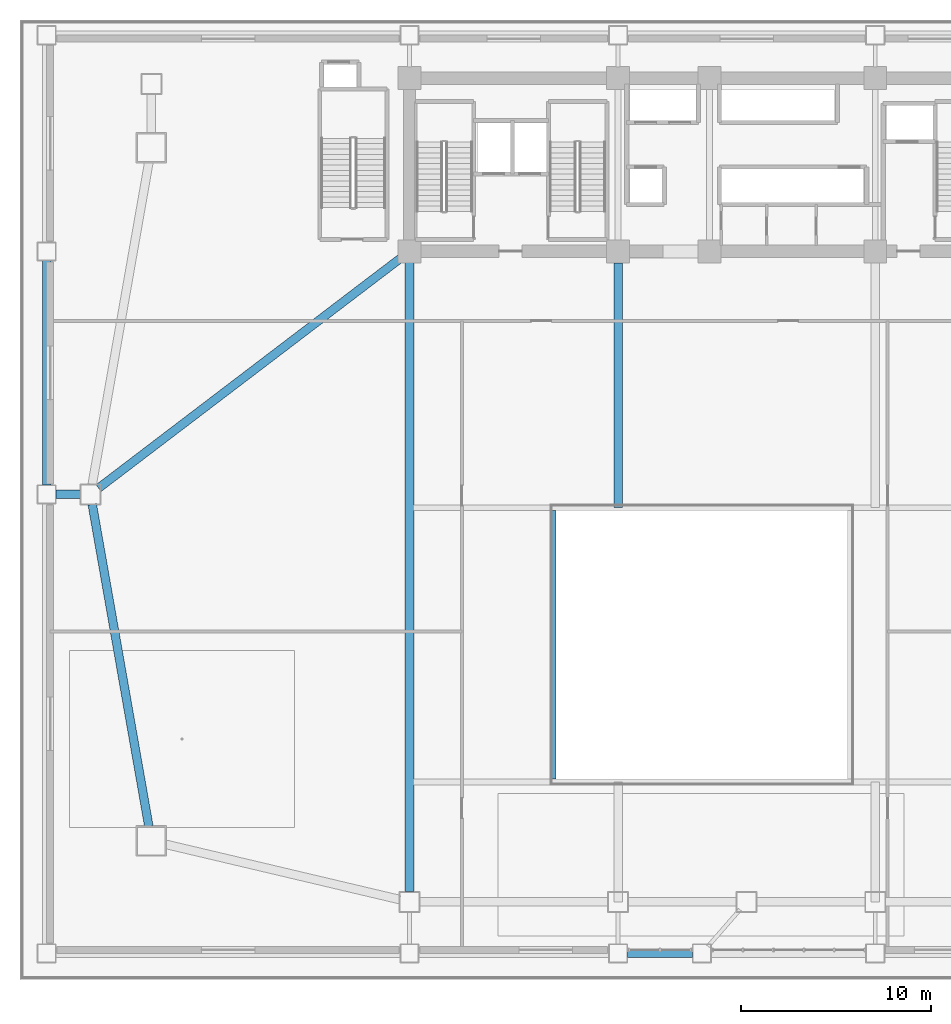
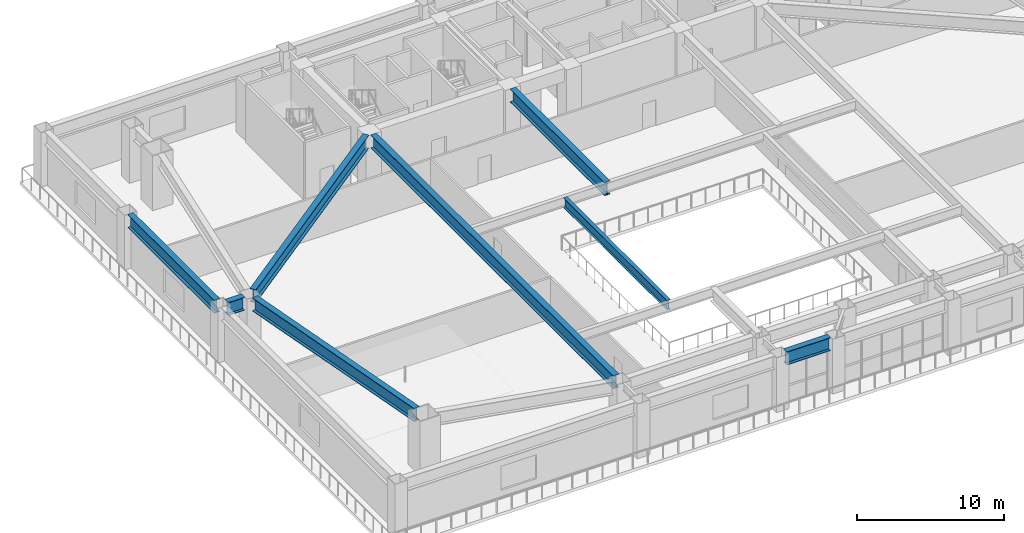
# One storey, part 3 of 14: 8 beams.
"""IFC4 building model written with IfcOpenShell, lengths in metres."""

import ifcopenshell
import ifcopenshell.guid

model = None  # the IFC model being written
_history = None  # IfcOwnerHistory: only IFC2X3 demands one
_inside = {}  # id of a spatial element -> (the spatial element, [elements in it])
_under = {}  # id of a project, library or spatial element -> (it, [spatial elements below it])
_declared = {}  # id of a project -> (the project, [libraries it declares])
_typed = {}  # id of a type object -> (the type object, [elements of that type])
_made_of = {}  # id of a material, layer set ... -> (it, [elements and type objects made of it])


def new_model(schema):
    """Start an empty IFC model of exactly this schema.

    Asked for "IFC4X3", IfcOpenShell would pick the latest addendum, in which some entities
    have other attributes; the version numbers below select the first issue.
    IFC2X3 requires an IfcOwnerHistory on every rooted entity: one is made here for all.
    """
    global model, _history
    if schema == "IFC4X3":
        model = ifcopenshell.file(schema_version=(4, 3, 0, 0))
    else:
        model = ifcopenshell.file(schema=schema)
    _inside.clear()
    _under.clear()
    _declared.clear()
    _typed.clear()
    _made_of.clear()
    _history = None
    if model.schema == "IFC2X3":
        org = make("IfcOrganization", Name="unknown")
        user = make(
            "IfcPersonAndOrganization",
            ThePerson=make("IfcPerson", FamilyName="unknown"),
            TheOrganization=org,
        )
        app = make(
            "IfcApplication",
            ApplicationDeveloper=org,
            Version="unknown",
            ApplicationFullName="unknown",
            ApplicationIdentifier="unknown",
        )
        _history = make(
            "IfcOwnerHistory",
            OwningUser=user,
            OwningApplication=app,
            ChangeAction="ADDED",
            CreationDate=0,
        )
    return model


def make(cls, **values):
    """One entity of the class cls with the attributes given. An attribute that is None is left unset."""
    return model.create_entity(
        cls, **{name: value for name, value in values.items() if value is not None}
    )


def rooted(cls, **values):
    """An entity with a GlobalId (a new one), such as an element, a storey or a relation."""
    return make(cls, GlobalId=ifcopenshell.guid.new(), OwnerHistory=_history, **values)


def si_unit(unit_type, name, prefix=None):
    """IfcSIUnit, for example si_unit("LENGTHUNIT", "METRE", prefix="MILLI")."""
    return make("IfcSIUnit", UnitType=unit_type, Prefix=prefix, Name=name)


def assignment(units):
    """IfcUnitAssignment: the units of a project."""
    return None if units is None else make("IfcUnitAssignment", Units=units)


def point(xyz):
    """IfcCartesianPoint."""
    return None if xyz is None else make("IfcCartesianPoint", Coordinates=xyz)


def direction(xyz):
    """IfcDirection."""
    return None if xyz is None else make("IfcDirection", DirectionRatios=xyz)


def frame(location, z_axis=None, x_axis=None):
    """IfcAxis2Placement3D, a coordinate frame: its origin and axes. An axis left out is left unset."""
    return make(
        "IfcAxis2Placement3D",
        Location=point(location),
        Axis=direction(z_axis),
        RefDirection=direction(x_axis),
    )


def frame_2d(location, x_axis=None):
    """IfcAxis2Placement2D, a coordinate frame in the plane: its origin and x axis."""
    return make(
        "IfcAxis2Placement2D", Location=point(location), RefDirection=direction(x_axis)
    )


def origin():
    """The frame at (0, 0, 0) with its axes left unset."""
    return frame((0.0, 0.0, 0.0))


def origin_2d():
    """The frame at (0, 0) in the plane with its x axis left unset."""
    return frame_2d((0.0, 0.0))


def place(relative_to, where):
    """IfcLocalPlacement: puts the frame where relative to a parent placement (None: the world)."""
    return make(
        "IfcLocalPlacement", PlacementRelTo=relative_to, RelativePlacement=where
    )


def context(
    kind, dimensions, precision=None, world=None, true_north=None, identifier=None
):
    """IfcGeometricRepresentationContext, for example the 3D "Model" context."""
    return make(
        "IfcGeometricRepresentationContext",
        ContextIdentifier=identifier,
        ContextType=kind,
        CoordinateSpaceDimension=dimensions,
        Precision=precision,
        WorldCoordinateSystem=world,
        TrueNorth=true_north,
    )


def subcontext(parent, identifier, kind, view, scale=None):
    """IfcGeometricRepresentationSubContext, for example "Body" below "Model"."""
    return make(
        "IfcGeometricRepresentationSubContext",
        ContextIdentifier=identifier,
        ContextType=kind,
        ParentContext=parent,
        TargetScale=scale,
        TargetView=view,
    )


def project(units=None, contexts=None):
    """IfcProject with its units and contexts."""
    return rooted(
        "IfcProject",
        Name="project",
        RepresentationContexts=contexts,
        UnitsInContext=assignment(units),
    )


def spatial(cls, under=None, at=None, **own):
    """A site, building, storey or space (cls), placed at a placement, below another one or the project."""
    s = rooted(cls, ObjectPlacement=at, **own)
    if under is not None:
        _under.setdefault(under.id(), (under, []))[1].append(s)
    return s


def profile(cls, at=None, kind="AREA", **sizes):
    """A parametric profile (cls). Its sizes go by their IFC names, for example OverallWidth=200.0."""
    return make(cls, ProfileType=kind, Position=at, **sizes)


def i_section(**sizes):
    """IfcIShapeProfileDef."""
    return profile("IfcIShapeProfileDef", **sizes)


def extrude(swept, where, along, depth):
    """IfcExtrudedAreaSolid: the profile swept, set in the frame where, extruded along a direction by depth."""
    return make(
        "IfcExtrudedAreaSolid",
        SweptArea=swept,
        Position=where,
        ExtrudedDirection=direction(along),
        Depth=depth,
    )


def shape(context_of_items, identifier, shape_type, items):
    """IfcShapeRepresentation: the items that make up one representation, for example the "Body"."""
    return make(
        "IfcShapeRepresentation",
        ContextOfItems=context_of_items,
        RepresentationIdentifier=identifier,
        RepresentationType=shape_type,
        Items=items,
    )


def source(mapping_origin, context_of_items, identifier, shape_type, items):
    """IfcRepresentationMap: a shape defined once, which mapped items show again and again."""
    return make(
        "IfcRepresentationMap",
        MappingOrigin=mapping_origin,
        MappedRepresentation=shape(context_of_items, identifier, shape_type, items),
    )


def transform(
    local_origin,
    x_axis=None,
    y_axis=None,
    z_axis=None,
    scale=None,
    scale2=None,
    scale3=None,
    uniform=True,
):
    """IfcCartesianTransformationOperator3D, or its non-uniform kind. x_axis, y_axis, z_axis: its Axis1, 2, 3."""
    if uniform:
        return make(
            "IfcCartesianTransformationOperator3D",
            Axis1=direction(x_axis),
            Axis2=direction(y_axis),
            LocalOrigin=point(local_origin),
            Scale=scale,
            Axis3=direction(z_axis),
        )
    return make(
        "IfcCartesianTransformationOperator3DnonUniform",
        Axis1=direction(x_axis),
        Axis2=direction(y_axis),
        LocalOrigin=point(local_origin),
        Scale=scale,
        Axis3=direction(z_axis),
        Scale2=scale2,
        Scale3=scale3,
    )


def mapped(mapping_source, mapping_target):
    """IfcMappedItem: shows the shape of a source again, moved by a transform."""
    return make(
        "IfcMappedItem", MappingSource=mapping_source, MappingTarget=mapping_target
    )


def material(Name=None, Category=None):
    """IfcMaterial."""
    return make("IfcMaterial", Name=Name, Category=Category)


def material_profile(
    of_material, cross_section, Name=None, Category=None, Priority=None
):
    """IfcMaterialProfile: a cross section and its material."""
    return make(
        "IfcMaterialProfile",
        Name=Name,
        Material=of_material,
        Profile=cross_section,
        Priority=Priority,
        Category=Category,
    )


def profile_set(profiles, Name=None, composite=None):
    """IfcMaterialProfileSet."""
    return make(
        "IfcMaterialProfileSet",
        Name=Name,
        MaterialProfiles=profiles,
        CompositeProfile=composite,
    )


def made_of(thing, what):
    """Note that an element or type object is made of a material, layer set ...; save() writes the relation."""
    if what is not None:
        _made_of.setdefault(what.id(), (what, []))[1].append(thing)
    return thing


def type_object(cls, material=None, **own):
    """A type object (cls), such as IfcWallType, which elements share."""
    return made_of(rooted(cls, **own), material)


def element(
    cls,
    number,
    at=None,
    inside=None,
    cuts=None,
    type_object=None,
    material=None,
    context=None,
    identifier="Body",
    shape_type=None,
    held_by="IfcProductDefinitionShape",
    body=None,
    shapes=None,
    **own,
):
    """One element of the class cls, such as IfcWall. Its Tag is "e" and its number.

    at: its placement. inside: the storey or other place that contains it. cuts: it is an
    opening in that element (IfcRelVoidsElement). A single representation is given by context,
    identifier, shape_type and body (its items); several are given by shapes. held_by: the class
    of the entity that holds the representations. save() writes the other relations.
    """
    e = rooted(cls, Tag="e%d" % number, ObjectPlacement=at, **own)
    if body is not None:
        shapes = [shape(context, identifier, shape_type, body)]
    if shapes is not None:
        e.Representation = make(held_by, Representations=shapes)
    if inside is not None:
        _inside.setdefault(inside.id(), (inside, []))[1].append(e)
    if cuts is not None:
        rooted(
            "IfcRelVoidsElement", RelatingBuildingElement=cuts, RelatedOpeningElement=e
        )
    if type_object is not None:
        _typed.setdefault(type_object.id(), (type_object, []))[1].append(e)
    return made_of(e, material)


def aggregate(whole, parts):
    """IfcRelAggregates: a whole, such as a stair, and the parts it consists of."""
    return rooted("IfcRelAggregates", RelatingObject=whole, RelatedObjects=parts)


def save(model, path):
    """Write the relations noted so far, then the file.

    IfcRelAggregates (storeys below a building ...), IfcRelContainedInSpatialStructure (elements
    in a storey), IfcRelDefinesByType, IfcRelAssociatesMaterial and IfcRelDeclares: one each for
    every whole, place, type object, material and project.
    """
    for whole, parts in _under.values():
        aggregate(whole, parts)
    for where, things in _inside.values():
        rooted(
            "IfcRelContainedInSpatialStructure",
            RelatedElements=things,
            RelatingStructure=where,
        )
    for kind, things in _typed.values():
        rooted("IfcRelDefinesByType", RelatedObjects=things, RelatingType=kind)
    for what, things in _made_of.values():
        rooted("IfcRelAssociatesMaterial", RelatedObjects=things, RelatingMaterial=what)
    for by, libraries in _declared.values():
        rooted("IfcRelDeclares", RelatingContext=by, RelatedDefinitions=libraries)
    model.write(path)


model = new_model("IFC4")

# Units and contexts
model_context = context("Model", 3, precision=1e-05, world=origin(), true_north=direction((0.0, 1.0)))
body_context = subcontext(model_context, "Body", "Model", "MODEL_VIEW")
ifc_project = project(units=[si_unit("LENGTHUNIT", "METRE"), si_unit("AREAUNIT", "SQUARE_METRE"), si_unit("VOLUMEUNIT", "CUBIC_METRE"), si_unit("PLANEANGLEUNIT", "RADIAN"), si_unit("MASSUNIT", "GRAM", prefix="KILO")], contexts=[model_context])

# Site, building, storey
site_placement = place(None, origin())
site = spatial("IfcSite", under=ifc_project, at=site_placement, CompositionType="ELEMENT")
building_placement = place(site_placement, origin())
building = spatial("IfcBuilding", under=site, at=building_placement, Name="Giltprow Tower", CompositionType="ELEMENT")
storey_placement = place(building_placement, frame((0.0, 0.0, 5.60009765625)))
storey = spatial("IfcBuildingStorey", under=building, at=storey_placement, Name="L02", CompositionType="ELEMENT", Elevation=5.60009765625)

# Beams
ifc_material_1 = material(Name="Structural steel Q420GJC", Category="steel")
ifc_material_profile_1 = material_profile(ifc_material_1, i_section(OverallWidth=0.449951171875, OverallDepth=1.10009765625, WebThickness=0.02587890625, FlangeThickness=0.0419921875, at=origin_2d()), Name="WH 1100x450x26x42")
ifc_profile_set_1 = profile_set([ifc_material_profile_1], Name="Structural steel Q420GJC")
beam_type_1 = type_object("IfcBeamType", Name="BM-GIRD-WH1100", PredefinedType="BEAM", material=ifc_profile_set_1)
shared_shape_1 = source(origin(), body_context, "Body", "SweptSolid", [
    extrude(i_section(OverallWidth=0.449951171875, OverallDepth=1.10009765625, WebThickness=0.02587890625, FlangeThickness=0.0419921875, at=origin_2d()), origin(), (0.0, 0.0, 1.0), 17.1591796875),
])
beam_1_placement = place(storey_placement, frame((3.193115234375, 24.173095703125, 3.989990234375), z_axis=(0.173139216532, -0.984897360997, 0.0), x_axis=(0.984897360997, 0.173139216532, 0.0)))
element("IfcBeam", 1, at=beam_1_placement, inside=storey, type_object=beam_type_1, Name="L02 Tower Base Ring Girder 12", PredefinedType="BEAM", context=body_context, shape_type="MappedRepresentation", body=[
    mapped(shared_shape_1, transform((0.0, 0.0, 0.0), x_axis=(1.0, 0.0, 0.0), y_axis=(0.0, 1.0, 0.0), z_axis=(0.0, 0.0, 1.0), scale=1.0)),
])
shared_shape_2 = source(origin(), body_context, "Body", "SweptSolid", [
    extrude(i_section(OverallWidth=0.449951171875, OverallDepth=1.10009765625, WebThickness=0.02587890625, FlangeThickness=0.0419921875, at=origin_2d()), origin(), (0.0, 0.0, 1.0), 33.030029296875),
])
beam_2_placement = place(storey_placement, frame((19.85009765625, 3.8349609375, 3.989990234375), z_axis=(0.0, 1.0, 0.0), x_axis=(-1.0, 0.0, 0.0)))
element("IfcBeam", 2, at=beam_2_placement, inside=storey, type_object=beam_type_1, Name="L02 Primary Podium Span Girder S1", PredefinedType="BEAM", context=body_context, shape_type="MappedRepresentation", body=[
    mapped(shared_shape_2, transform((0.0, 0.0, 0.0), x_axis=(1.0, 0.0, 0.0), y_axis=(0.0, 1.0, 0.0), z_axis=(0.0, 0.0, 1.0), scale=1.0)),
])
shared_shape_3 = source(origin(), body_context, "Body", "SweptSolid", [
    extrude(i_section(OverallWidth=0.449951171875, OverallDepth=1.10009765625, WebThickness=0.02587890625, FlangeThickness=0.0419921875, at=origin_2d()), origin(), (0.0, 0.0, 1.0), 19.930908203125),
])
beam_3_placement = place(storey_placement, frame((3.52587890625, 25.02392578125, 3.989990234375), z_axis=(0.795700739064, 0.605689965124, 0.0), x_axis=(-0.605689965124, 0.795700739064, 0.0)))
element("IfcBeam", 3, at=beam_3_placement, inside=storey, type_object=beam_type_1, Name="L02 West Tie 2", PredefinedType="BEAM", context=body_context, shape_type="MappedRepresentation", body=[
    mapped(shared_shape_3, transform((0.0, 0.0, 0.0), x_axis=(1.0, 0.0, 0.0), y_axis=(0.0, 1.0, 0.0), z_axis=(0.0, 0.0, 1.0), scale=1.0)),
])
shared_shape_4 = source(origin(), body_context, "Body", "SweptSolid", [
    extrude(i_section(OverallWidth=0.449951171875, OverallDepth=1.10009765625, WebThickness=0.02587890625, FlangeThickness=0.0419921875, at=origin_2d()), origin(), (0.0, 0.0, 1.0), 3.43017578125),
])
beam_4_placement = place(storey_placement, frame((31.284912109375, 0.60009765625, 3.989990234375), z_axis=(1.0, 0.0, 0.0), x_axis=(0.0, 1.0, 0.0)))
element("IfcBeam", 4, at=beam_4_placement, inside=storey, type_object=beam_type_1, Name="L02 Podium South Edge Girder", PredefinedType="BEAM", context=body_context, shape_type="MappedRepresentation", body=[
    mapped(shared_shape_4, transform((0.0, 0.0, 0.0), x_axis=(1.0, 0.0, 0.0), y_axis=(0.0, 1.0, 0.0), z_axis=(0.0, 0.0, 1.0), scale=1.0)),
])
shared_shape_5 = source(origin(), body_context, "Body", "SweptSolid", [
    extrude(i_section(OverallWidth=0.449951171875, OverallDepth=1.10009765625, WebThickness=0.02587890625, FlangeThickness=0.0419921875, at=origin_2d()), origin(), (0.0, 0.0, 1.0), 11.780029296875),
])
beam_5_placement = place(storey_placement, frame((0.800048828125, 25.18505859375, 3.989990234375), z_axis=(0.0, 1.0, 0.0), x_axis=(-1.0, 0.0, 0.0)))
element("IfcBeam", 5, at=beam_5_placement, inside=storey, type_object=beam_type_1, Name="L02 Podium Side Girder", PredefinedType="BEAM", context=body_context, shape_type="MappedRepresentation", body=[
    mapped(shared_shape_5, transform((0.0, 0.0, 0.0), x_axis=(1.0, 0.0, 0.0), y_axis=(0.0, 1.0, 0.0), z_axis=(0.0, 0.0, 1.0), scale=1.0)),
])
shared_shape_6 = source(origin(), body_context, "Body", "SweptSolid", [
    extrude(i_section(OverallWidth=0.449951171875, OverallDepth=1.10009765625, WebThickness=0.02587890625, FlangeThickness=0.0419921875, at=origin_2d()), origin(), (0.0, 0.0, 1.0), 12.85009765625),
])
beam_6_placement = place(storey_placement, frame((30.800048828125, 24.0, 3.989990234375), z_axis=(0.0, 1.0, 0.0), x_axis=(-1.0, 0.0, 0.0)))
element("IfcBeam", 6, at=beam_6_placement, inside=storey, type_object=beam_type_1, Name="L02 Atrium North Girder S2", PredefinedType="BEAM", context=body_context, shape_type="MappedRepresentation", body=[
    mapped(shared_shape_6, transform((0.0, 0.0, 0.0), x_axis=(1.0, 0.0, 0.0), y_axis=(0.0, 1.0, 0.0), z_axis=(0.0, 0.0, 1.0), scale=1.0)),
])
shared_shape_7 = source(origin(), body_context, "Body", "SweptSolid", [
    extrude(i_section(OverallWidth=0.449951171875, OverallDepth=1.10009765625, WebThickness=0.02587890625, FlangeThickness=0.0419921875, at=origin_2d()), origin(), (0.0, 0.0, 1.0), 1.280029296875),
])
beam_7_placement = place(storey_placement, frame((1.284912109375, 24.699951171875, 3.989990234375), z_axis=(1.0, 0.0, 0.0), x_axis=(0.0, 1.0, 0.0)))
element("IfcBeam", 7, at=beam_7_placement, inside=storey, type_object=beam_type_1, Name="L02 West Tie 1", PredefinedType="BEAM", context=body_context, shape_type="MappedRepresentation", body=[
    mapped(shared_shape_7, transform((0.0, 0.0, 0.0), x_axis=(1.0, 0.0, 0.0), y_axis=(0.0, 1.0, 0.0), z_axis=(0.0, 0.0, 1.0), scale=1.0)),
])
ifc_material_2 = material(Name="Structural steel Q355B", Category="steel")
ifc_material_profile_2 = material_profile(ifc_material_2, i_section(OverallWidth=0.300048828125, OverallDepth=0.800048828125, WebThickness=0.013916015625, FlangeThickness=0.02587890625, at=origin_2d()), Name="HN 800x300x14x26")
ifc_profile_set_2 = profile_set([ifc_material_profile_2], Name="Structural steel Q355B")
beam_type_2 = type_object("IfcBeamType", Name="BM-GIRD-HN800", PredefinedType="BEAM", material=ifc_profile_set_2)
shared_shape_8 = source(origin(), body_context, "Body", "SweptSolid", [
    extrude(i_section(OverallWidth=0.300048828125, OverallDepth=0.800048828125, WebThickness=0.013916015625, FlangeThickness=0.02587890625, at=origin_2d()), origin(), (0.0, 0.0, 1.0), 14.10009765625),
])
beam_8_placement = place(storey_placement, frame((27.39990234375, 9.75, 4.139892578125), z_axis=(0.0, 1.0, 0.0), x_axis=(-1.0, 0.0, 0.0)))
element("IfcBeam", 8, at=beam_8_placement, inside=storey, type_object=beam_type_2, Name="L02 Atrium Edge Girder W", PredefinedType="BEAM", context=body_context, shape_type="MappedRepresentation", body=[
    mapped(shared_shape_8, transform((0.0, 0.0, 0.0), x_axis=(1.0, 0.0, 0.0), y_axis=(0.0, 1.0, 0.0), z_axis=(0.0, 0.0, 1.0), scale=1.0)),
])

save(model, "model.ifc")
